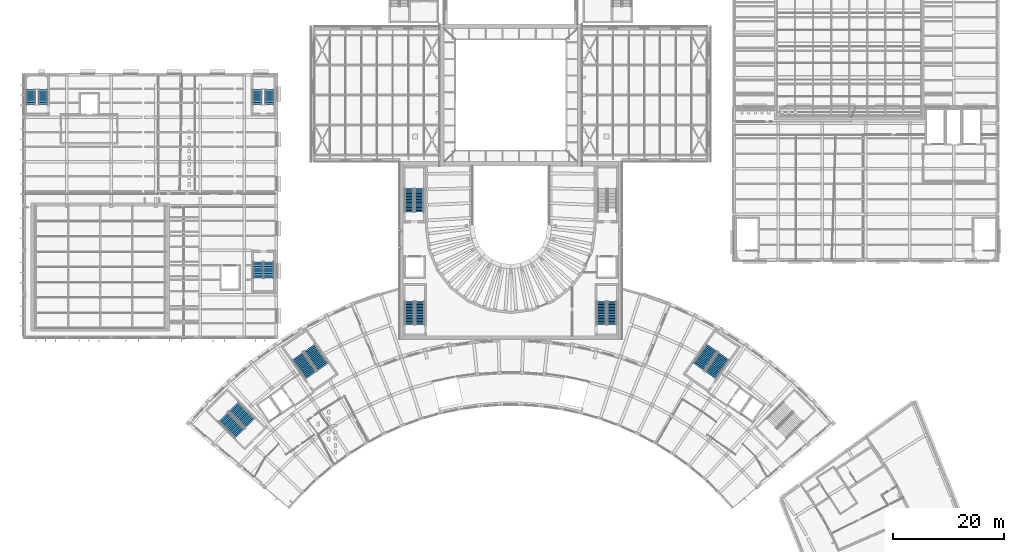
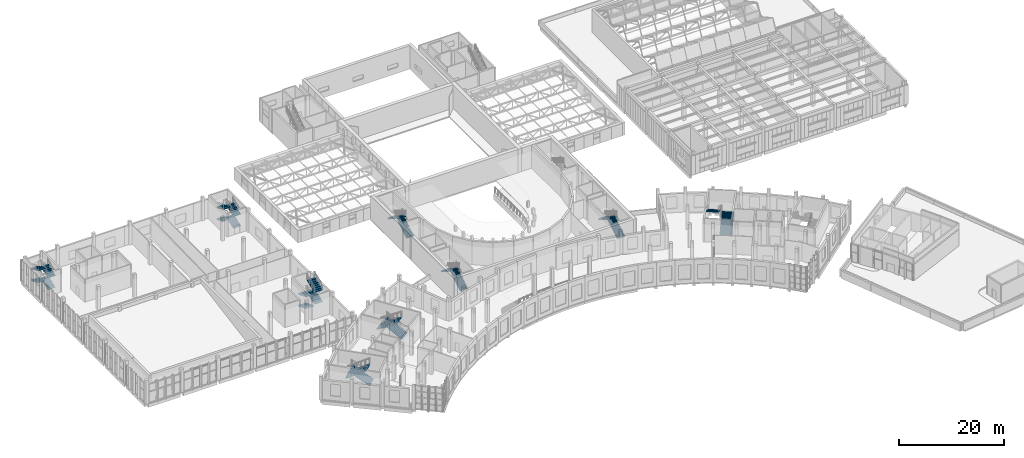
# One storey, part 83 of 132: 24 stair flights, 9 elements without a shape of their own.
"""IFC4 building model written with IfcOpenShell, lengths in metres."""

from ifc_helpers import new_model, si_unit, direction, frame, origin, place, context, subcontext, project, spatial, polyline, outline, extrude, material, type_object, element, aggregate, save


model = new_model("IFC4")

# Units and contexts
model_context = context("Model", 3, precision=1e-05, world=origin(), true_north=direction((0.0, 1.0)))
body_context = subcontext(model_context, "Body", "Model", "MODEL_VIEW")
ifc_project = project(units=[si_unit("LENGTHUNIT", "METRE"), si_unit("AREAUNIT", "SQUARE_METRE"), si_unit("VOLUMEUNIT", "CUBIC_METRE"), si_unit("PLANEANGLEUNIT", "RADIAN"), si_unit("MASSUNIT", "GRAM", prefix="KILO")], contexts=[model_context])

# Site, building, storey
site_placement = place(None, origin())
site = spatial("IfcSite", under=ifc_project, at=site_placement, CompositionType="ELEMENT")
building_placement = place(site_placement, origin())
building = spatial("IfcBuilding", under=site, at=building_placement, Name="Lunette Opera House", CompositionType="ELEMENT")
storey_placement = place(building_placement, frame((0.0, 0.0, 17.0)))
storey = spatial("IfcBuildingStorey", under=building, at=storey_placement, Name="L03", CompositionType="ELEMENT", Elevation=17.0)

# Stair, stair flights
ifc_material_1 = material(Name="Concrete C35/45", Category="concrete")
stair_type_1 = type_object("IfcStairType", Name="DOGLEG STAIR 1600", PredefinedType="HALF_TURN_STAIR", material=ifc_material_1)
stair_1_placement = place(storey_placement, origin())
stair_1 = element("IfcStair", 1, at=stair_1_placement, inside=storey, type_object=stair_type_1, Name="L03 stair ST15", PredefinedType="HALF_TURN_STAIR")
ifc_material_2 = material(Name="Concrete C35/45", Category="concrete")
stair_flight_type_1 = type_object("IfcStairFlightType", Name="STRAIGHT STAIR FLIGHT 1600", PredefinedType="STRAIGHT", material=ifc_material_2)
stair_flight_1_placement = place(storey_placement, frame((11.699951171875, 106.300048828125, 0.0), z_axis=(0.0, 0.0, 1.0), x_axis=(0.0, 1.0, 0.0)))
stair_flight_1 = element("IfcStairFlight", 2, at=stair_flight_1_placement, type_object=stair_flight_type_1, Name="ST15 flight 1", NumberOfRisers=8, NumberOfTreads=7, PredefinedType="STRAIGHT", RiserHeight=0.171875, TreadLength=0.38, context=body_context, shape_type="SweptSolid", body=[
    extrude(outline(polyline([(0.0, 0.0), (0.0, 0.171875), (0.3798828125, 0.171875), (0.3798828125, 0.34375), (0.760009765625, 0.34375), (0.760009765625, 0.515625), (1.139892578125, 0.515625), (1.139892578125, 0.6875), (1.52001953125, 0.6875), (1.52001953125, 0.859375), (1.89990234375, 0.859375), (1.89990234375, 1.03125), (2.280029296875, 1.03125), (2.280029296875, 1.203125), (2.659912109375, 1.203125), (2.659912109375, 1.375), (2.659912109375, 1.03857421875), (0.36376953125, 0.0), (0.0, 0.0)])), frame((0.0, 0.800048828125, 0.0), z_axis=(0.0, -1.0, 0.0), x_axis=(1.0, 0.0, 0.0)), (0.0, 0.0, 1.0), 1.60009765625),
])
stair_flight_2_placement = place(storey_placement, frame((9.5, 108.9599609375, 1.375), z_axis=(0.0, 0.0, 1.0), x_axis=(0.0, -1.0, 0.0)))
stair_flight_2 = element("IfcStairFlight", 3, at=stair_flight_2_placement, type_object=stair_flight_type_1, Name="ST15 flight 2", NumberOfRisers=8, NumberOfTreads=7, PredefinedType="STRAIGHT", RiserHeight=0.171875, TreadLength=0.38, context=body_context, shape_type="SweptSolid", body=[
    extrude(outline(polyline([(0.0, 0.0), (0.0, 0.171875), (0.3798828125, 0.171875), (0.3798828125, 0.34375), (0.760009765625, 0.34375), (0.760009765625, 0.515625), (1.139892578125, 0.515625), (1.139892578125, 0.6875), (1.52001953125, 0.6875), (1.52001953125, 0.859375), (1.89990234375, 0.859375), (1.89990234375, 1.03125), (2.280029296875, 1.03125), (2.280029296875, 1.203125), (2.659912109375, 1.203125), (2.659912109375, 1.375), (2.659912109375, 1.03857421875), (0.36376953125, 0.0), (0.0, 0.0)])), frame((0.0, 0.800048828125, 0.0), z_axis=(0.0, -1.0, 0.0), x_axis=(1.0, 0.0, 0.0)), (0.0, 0.0, 1.0), 1.60009765625),
])
stair_flight_3_placement = place(storey_placement, frame((11.699951171875, 106.300048828125, 2.75), z_axis=(0.0, 0.0, 1.0), x_axis=(0.0, 1.0, 0.0)))
stair_flight_3 = element("IfcStairFlight", 4, at=stair_flight_3_placement, type_object=stair_flight_type_1, Name="ST15 flight 3", NumberOfRisers=8, NumberOfTreads=7, PredefinedType="STRAIGHT", RiserHeight=0.171875, TreadLength=0.38, context=body_context, shape_type="SweptSolid", body=[
    extrude(outline(polyline([(0.0, 0.0), (0.0, 0.171875), (0.3798828125, 0.171875), (0.3798828125, 0.34375), (0.760009765625, 0.34375), (0.760009765625, 0.515625), (1.139892578125, 0.515625), (1.139892578125, 0.6875), (1.52001953125, 0.6875), (1.52001953125, 0.859375), (1.89990234375, 0.859375), (1.89990234375, 1.03125), (2.280029296875, 1.03125), (2.280029296875, 1.203125), (2.659912109375, 1.203125), (2.659912109375, 1.375), (2.659912109375, 1.03857421875), (0.36376953125, 0.0), (0.0, 0.0)])), frame((0.0, 0.800048828125, 0.0), z_axis=(0.0, -1.0, 0.0), x_axis=(1.0, 0.0, 0.0)), (0.0, 0.0, 1.0), 1.60009765625),
])
stair_flight_4_placement = place(storey_placement, frame((9.5, 108.9599609375, 4.125), z_axis=(0.0, 0.0, 1.0), x_axis=(0.0, -1.0, 0.0)))
stair_flight_4 = element("IfcStairFlight", 5, at=stair_flight_4_placement, type_object=stair_flight_type_1, Name="ST15 flight 4", NumberOfRisers=8, NumberOfTreads=7, PredefinedType="STRAIGHT", RiserHeight=0.171875, TreadLength=0.38, context=body_context, shape_type="SweptSolid", body=[
    extrude(outline(polyline([(0.0, 0.0), (0.0, 0.171875), (0.3798828125, 0.171875), (0.3798828125, 0.34375), (0.760009765625, 0.34375), (0.760009765625, 0.515625), (1.139892578125, 0.515625), (1.139892578125, 0.6875), (1.52001953125, 0.6875), (1.52001953125, 0.859375), (1.89990234375, 0.859375), (1.89990234375, 1.03125), (2.280029296875, 1.03125), (2.280029296875, 1.203125), (2.659912109375, 1.203125), (2.659912109375, 1.375), (2.659912109375, 1.03857421875), (0.36376953125, 0.0), (0.0, 0.0)])), frame((0.0, 0.800048828125, 0.0), z_axis=(0.0, -1.0, 0.0), x_axis=(1.0, 0.0, 0.0)), (0.0, 0.0, 1.0), 1.60009765625),
])
aggregate(stair_1, [stair_flight_1, stair_flight_2, stair_flight_3, stair_flight_4])

stair_2_placement = place(storey_placement, origin())
stair_2 = element("IfcStair", 6, at=stair_2_placement, inside=storey, type_object=stair_type_1, Name="L03 stair ST17", PredefinedType="HALF_TURN_STAIR")
stair_flight_5_placement = place(storey_placement, frame((52.534912109375, 106.300048828125, 0.0), z_axis=(0.0, 0.0, 1.0), x_axis=(0.0, 1.0, 0.0)))
stair_flight_5 = element("IfcStairFlight", 7, at=stair_flight_5_placement, type_object=stair_flight_type_1, Name="ST17 flight 1", NumberOfRisers=8, NumberOfTreads=7, PredefinedType="STRAIGHT", RiserHeight=0.171875, TreadLength=0.38, context=body_context, shape_type="SweptSolid", body=[
    extrude(outline(polyline([(0.0, 0.0), (0.0, 0.171875), (0.3798828125, 0.171875), (0.3798828125, 0.34375), (0.760009765625, 0.34375), (0.760009765625, 0.515625), (1.139892578125, 0.515625), (1.139892578125, 0.6875), (1.52001953125, 0.6875), (1.52001953125, 0.859375), (1.89990234375, 0.859375), (1.89990234375, 1.03125), (2.280029296875, 1.03125), (2.280029296875, 1.203125), (2.659912109375, 1.203125), (2.659912109375, 1.375), (2.659912109375, 1.03857421875), (0.36376953125, 0.0), (0.0, 0.0)])), frame((0.0, 0.800048828125, 0.0), z_axis=(0.0, -1.0, 0.0), x_axis=(1.0, 0.0, 0.0)), (0.0, 0.0, 1.0), 1.60009765625),
])
stair_flight_6_placement = place(storey_placement, frame((50.300048828125, 108.9599609375, 1.375), z_axis=(0.0, 0.0, 1.0), x_axis=(0.0, -1.0, 0.0)))
stair_flight_6 = element("IfcStairFlight", 8, at=stair_flight_6_placement, type_object=stair_flight_type_1, Name="ST17 flight 2", NumberOfRisers=8, NumberOfTreads=7, PredefinedType="STRAIGHT", RiserHeight=0.171875, TreadLength=0.38, context=body_context, shape_type="SweptSolid", body=[
    extrude(outline(polyline([(0.0, 0.0), (0.0, 0.171875), (0.3798828125, 0.171875), (0.3798828125, 0.34375), (0.760009765625, 0.34375), (0.760009765625, 0.515625), (1.139892578125, 0.515625), (1.139892578125, 0.6875), (1.52001953125, 0.6875), (1.52001953125, 0.859375), (1.89990234375, 0.859375), (1.89990234375, 1.03125), (2.280029296875, 1.03125), (2.280029296875, 1.203125), (2.659912109375, 1.203125), (2.659912109375, 1.375), (2.659912109375, 1.03857421875), (0.36376953125, 0.0), (0.0, 0.0)])), frame((0.0, 0.800048828125, 0.0), z_axis=(0.0, -1.0, 0.0), x_axis=(1.0, 0.0, 0.0)), (0.0, 0.0, 1.0), 1.60009765625),
])
stair_flight_7_placement = place(storey_placement, frame((52.534912109375, 106.300048828125, 2.75), z_axis=(0.0, 0.0, 1.0), x_axis=(0.0, 1.0, 0.0)))
stair_flight_7 = element("IfcStairFlight", 9, at=stair_flight_7_placement, type_object=stair_flight_type_1, Name="ST17 flight 3", NumberOfRisers=8, NumberOfTreads=7, PredefinedType="STRAIGHT", RiserHeight=0.171875, TreadLength=0.38, context=body_context, shape_type="SweptSolid", body=[
    extrude(outline(polyline([(0.0, 0.0), (0.0, 0.171875), (0.3798828125, 0.171875), (0.3798828125, 0.34375), (0.760009765625, 0.34375), (0.760009765625, 0.515625), (1.139892578125, 0.515625), (1.139892578125, 0.6875), (1.52001953125, 0.6875), (1.52001953125, 0.859375), (1.89990234375, 0.859375), (1.89990234375, 1.03125), (2.280029296875, 1.03125), (2.280029296875, 1.203125), (2.659912109375, 1.203125), (2.659912109375, 1.375), (2.659912109375, 1.03857421875), (0.36376953125, 0.0), (0.0, 0.0)])), frame((0.0, 0.800048828125, 0.0), z_axis=(0.0, -1.0, 0.0), x_axis=(1.0, 0.0, 0.0)), (0.0, 0.0, 1.0), 1.60009765625),
])
stair_flight_8_placement = place(storey_placement, frame((50.300048828125, 108.9599609375, 4.125), z_axis=(0.0, 0.0, 1.0), x_axis=(0.0, -1.0, 0.0)))
stair_flight_8 = element("IfcStairFlight", 10, at=stair_flight_8_placement, type_object=stair_flight_type_1, Name="ST17 flight 4", NumberOfRisers=8, NumberOfTreads=7, PredefinedType="STRAIGHT", RiserHeight=0.171875, TreadLength=0.38, context=body_context, shape_type="SweptSolid", body=[
    extrude(outline(polyline([(0.0, 0.0), (0.0, 0.171875), (0.3798828125, 0.171875), (0.3798828125, 0.34375), (0.760009765625, 0.34375), (0.760009765625, 0.515625), (1.139892578125, 0.515625), (1.139892578125, 0.6875), (1.52001953125, 0.6875), (1.52001953125, 0.859375), (1.89990234375, 0.859375), (1.89990234375, 1.03125), (2.280029296875, 1.03125), (2.280029296875, 1.203125), (2.659912109375, 1.203125), (2.659912109375, 1.375), (2.659912109375, 1.03857421875), (0.36376953125, 0.0), (0.0, 0.0)])), frame((0.0, 0.800048828125, 0.0), z_axis=(0.0, -1.0, 0.0), x_axis=(1.0, 0.0, 0.0)), (0.0, 0.0, 1.0), 1.60009765625),
])
aggregate(stair_2, [stair_flight_5, stair_flight_6, stair_flight_7, stair_flight_8])

ifc_material_3 = material(Name="Concrete C35/45", Category="concrete")
stair_type_2 = type_object("IfcStairType", Name="DOGLEG STAIR 1620", PredefinedType="HALF_TURN_STAIR", material=ifc_material_3)
stair_3_placement = place(storey_placement, origin())
stair_3 = element("IfcStair", 11, at=stair_3_placement, inside=storey, type_object=stair_type_2, Name="L03 stair ST10", PredefinedType="HALF_TURN_STAIR")
ifc_material_4 = material(Name="Concrete C35/45", Category="concrete")
stair_flight_type_2 = type_object("IfcStairFlightType", Name="STRAIGHT STAIR FLIGHT 1620", PredefinedType="STRAIGHT", material=ifc_material_4)
stair_flight_9_placement = place(storey_placement, frame((79.489990234375, 86.919921875, 0.0), z_axis=(0.0, 0.0, 1.0), x_axis=(0.0, 1.0, 0.0)))
stair_flight_9 = element("IfcStairFlight", 12, at=stair_flight_9_placement, type_object=stair_flight_type_2, Name="ST10 flight 1", NumberOfRisers=16, NumberOfTreads=15, PredefinedType="STRAIGHT", RiserHeight=0.171875, TreadLength=0.28, context=body_context, shape_type="SweptSolid", body=[
    extrude(outline(polyline([(0.0, 0.0), (0.0, 0.171875), (0.280029296875, 0.171875), (0.280029296875, 0.34375), (0.56005859375, 0.34375), (0.56005859375, 0.515625), (0.840087890625, 0.515625), (0.840087890625, 0.6875), (1.1201171875, 0.6875), (1.1201171875, 0.859375), (1.39990234375, 0.859375), (1.39990234375, 1.03125), (1.679931640625, 1.03125), (1.679931640625, 1.203125), (1.9599609375, 1.203125), (1.9599609375, 1.375), (2.239990234375, 1.375), (2.239990234375, 1.546875), (2.52001953125, 1.546875), (2.52001953125, 1.71875), (2.800048828125, 1.71875), (2.800048828125, 1.890625), (3.080078125, 1.890625), (3.080078125, 2.0625), (3.360107421875, 2.0625), (3.360107421875, 2.234375), (3.639892578125, 2.234375), (3.639892578125, 2.40625), (3.919921875, 2.40625), (3.919921875, 2.578125), (4.199951171875, 2.578125), (4.199951171875, 2.75), (4.199951171875, 2.40234375), (0.28662109375, 0.0), (0.0, 0.0)])), frame((0.0, 0.81005859375, 0.0), z_axis=(0.0, -1.0, 0.0), x_axis=(1.0, 0.0, 0.0)), (0.0, 0.0, 1.0), 1.6201171875),
])
stair_flight_10_placement = place(storey_placement, frame((77.7099609375, 91.1201171875, 2.75), z_axis=(0.0, 0.0, 1.0), x_axis=(0.0, -1.0, 0.0)))
stair_flight_10 = element("IfcStairFlight", 13, at=stair_flight_10_placement, type_object=stair_flight_type_2, Name="ST10 flight 2", NumberOfRisers=16, NumberOfTreads=15, PredefinedType="STRAIGHT", RiserHeight=0.171875, TreadLength=0.28, context=body_context, shape_type="SweptSolid", body=[
    extrude(outline(polyline([(0.0, 0.0), (0.0, 0.171875), (0.280029296875, 0.171875), (0.280029296875, 0.34375), (0.56005859375, 0.34375), (0.56005859375, 0.515625), (0.840087890625, 0.515625), (0.840087890625, 0.6875), (1.1201171875, 0.6875), (1.1201171875, 0.859375), (1.39990234375, 0.859375), (1.39990234375, 1.03125), (1.679931640625, 1.03125), (1.679931640625, 1.203125), (1.9599609375, 1.203125), (1.9599609375, 1.375), (2.239990234375, 1.375), (2.239990234375, 1.546875), (2.52001953125, 1.546875), (2.52001953125, 1.71875), (2.800048828125, 1.71875), (2.800048828125, 1.890625), (3.080078125, 1.890625), (3.080078125, 2.0625), (3.360107421875, 2.0625), (3.360107421875, 2.234375), (3.639892578125, 2.234375), (3.639892578125, 2.40625), (3.919921875, 2.40625), (3.919921875, 2.578125), (4.199951171875, 2.578125), (4.199951171875, 2.75), (4.199951171875, 2.40234375), (0.28662109375, 0.0), (0.0, 0.0)])), frame((0.0, 0.81005859375, 0.0), z_axis=(0.0, -1.0, 0.0), x_axis=(1.0, 0.0, 0.0)), (0.0, 0.0, 1.0), 1.6201171875),
])
aggregate(stair_3, [stair_flight_9, stair_flight_10])

ifc_material_5 = material(Name="Concrete C35/45", Category="concrete")
stair_type_3 = type_object("IfcStairType", Name="DOGLEG STAIR 1720", PredefinedType="HALF_TURN_STAIR", material=ifc_material_5)
stair_4_placement = place(storey_placement, origin())
stair_4 = element("IfcStair", 14, at=stair_4_placement, inside=storey, type_object=stair_type_3, Name="L03 stair ST7", PredefinedType="HALF_TURN_STAIR")
ifc_material_6 = material(Name="Concrete C35/45", Category="concrete")
stair_flight_type_3 = type_object("IfcStairFlightType", Name="STRAIGHT STAIR FLIGHT 1720", PredefinedType="STRAIGHT", material=ifc_material_6)
stair_flight_11_placement = place(storey_placement, frame((79.639892578125, 66.6201171875, 0.0), z_axis=(0.0, 0.0, 1.0), x_axis=(0.0, 1.0, 0.0)))
stair_flight_11 = element("IfcStairFlight", 15, at=stair_flight_11_placement, type_object=stair_flight_type_3, Name="ST7 flight 1", NumberOfRisers=16, NumberOfTreads=15, PredefinedType="STRAIGHT", RiserHeight=0.171875, TreadLength=0.28, context=body_context, shape_type="SweptSolid", body=[
    extrude(outline(polyline([(0.0, 0.0), (0.0, 0.171875), (0.280029296875, 0.171875), (0.280029296875, 0.34375), (0.56005859375, 0.34375), (0.56005859375, 0.515625), (0.840087890625, 0.515625), (0.840087890625, 0.6875), (1.1201171875, 0.6875), (1.1201171875, 0.859375), (1.39990234375, 0.859375), (1.39990234375, 1.03125), (1.679931640625, 1.03125), (1.679931640625, 1.203125), (1.9599609375, 1.203125), (1.9599609375, 1.375), (2.239990234375, 1.375), (2.239990234375, 1.546875), (2.52001953125, 1.546875), (2.52001953125, 1.71875), (2.800048828125, 1.71875), (2.800048828125, 1.890625), (3.080078125, 1.890625), (3.080078125, 2.0625), (3.360107421875, 2.0625), (3.360107421875, 2.234375), (3.639892578125, 2.234375), (3.639892578125, 2.40625), (3.919921875, 2.40625), (3.919921875, 2.578125), (4.199951171875, 2.578125), (4.199951171875, 2.75), (4.199951171875, 2.40234375), (0.28662109375, 0.0), (0.0, 0.0)])), frame((0.0, 0.85986328125, 0.0), z_axis=(0.0, -1.0, 0.0), x_axis=(1.0, 0.0, 0.0)), (0.0, 0.0, 1.0), 1.719970703125),
])
stair_flight_12_placement = place(storey_placement, frame((77.760009765625, 70.820068359375, 2.75), z_axis=(0.0, 0.0, 1.0), x_axis=(0.0, -1.0, 0.0)))
stair_flight_12 = element("IfcStairFlight", 16, at=stair_flight_12_placement, type_object=stair_flight_type_3, Name="ST7 flight 2", NumberOfRisers=16, NumberOfTreads=15, PredefinedType="STRAIGHT", RiserHeight=0.171875, TreadLength=0.28, context=body_context, shape_type="SweptSolid", body=[
    extrude(outline(polyline([(0.0, 0.0), (0.0, 0.171875), (0.280029296875, 0.171875), (0.280029296875, 0.34375), (0.56005859375, 0.34375), (0.56005859375, 0.515625), (0.840087890625, 0.515625), (0.840087890625, 0.6875), (1.1201171875, 0.6875), (1.1201171875, 0.859375), (1.39990234375, 0.859375), (1.39990234375, 1.03125), (1.679931640625, 1.03125), (1.679931640625, 1.203125), (1.9599609375, 1.203125), (1.9599609375, 1.375), (2.239990234375, 1.375), (2.239990234375, 1.546875), (2.52001953125, 1.546875), (2.52001953125, 1.71875), (2.800048828125, 1.71875), (2.800048828125, 1.890625), (3.080078125, 1.890625), (3.080078125, 2.0625), (3.360107421875, 2.0625), (3.360107421875, 2.234375), (3.639892578125, 2.234375), (3.639892578125, 2.40625), (3.919921875, 2.40625), (3.919921875, 2.578125), (4.199951171875, 2.578125), (4.199951171875, 2.75), (4.199951171875, 2.40234375), (0.28662109375, 0.0), (0.0, 0.0)])), frame((0.0, 0.85986328125, 0.0), z_axis=(0.0, -1.0, 0.0), x_axis=(1.0, 0.0, 0.0)), (0.0, 0.0, 1.0), 1.719970703125),
])
aggregate(stair_4, [stair_flight_11, stair_flight_12])

stair_5_placement = place(storey_placement, origin())
stair_5 = element("IfcStair", 17, at=stair_5_placement, inside=storey, type_object=stair_type_3, Name="L03 stair ST8", PredefinedType="HALF_TURN_STAIR")
stair_flight_13_placement = place(storey_placement, frame((114.239990234375, 66.6201171875, 0.0), z_axis=(0.0, 0.0, 1.0), x_axis=(0.0, 1.0, 0.0)))
stair_flight_13 = element("IfcStairFlight", 18, at=stair_flight_13_placement, type_object=stair_flight_type_3, Name="ST8 flight 1", NumberOfRisers=16, NumberOfTreads=15, PredefinedType="STRAIGHT", RiserHeight=0.171875, TreadLength=0.28, context=body_context, shape_type="SweptSolid", body=[
    extrude(outline(polyline([(0.0, 0.0), (0.0, 0.171875), (0.280029296875, 0.171875), (0.280029296875, 0.34375), (0.56005859375, 0.34375), (0.56005859375, 0.515625), (0.840087890625, 0.515625), (0.840087890625, 0.6875), (1.1201171875, 0.6875), (1.1201171875, 0.859375), (1.39990234375, 0.859375), (1.39990234375, 1.03125), (1.679931640625, 1.03125), (1.679931640625, 1.203125), (1.9599609375, 1.203125), (1.9599609375, 1.375), (2.239990234375, 1.375), (2.239990234375, 1.546875), (2.52001953125, 1.546875), (2.52001953125, 1.71875), (2.800048828125, 1.71875), (2.800048828125, 1.890625), (3.080078125, 1.890625), (3.080078125, 2.0625), (3.360107421875, 2.0625), (3.360107421875, 2.234375), (3.639892578125, 2.234375), (3.639892578125, 2.40625), (3.919921875, 2.40625), (3.919921875, 2.578125), (4.199951171875, 2.578125), (4.199951171875, 2.75), (4.199951171875, 2.40234375), (0.28662109375, 0.0), (0.0, 0.0)])), frame((0.0, 0.85986328125, 0.0), z_axis=(0.0, -1.0, 0.0), x_axis=(1.0, 0.0, 0.0)), (0.0, 0.0, 1.0), 1.719970703125),
])
stair_flight_14_placement = place(storey_placement, frame((112.360107421875, 70.820068359375, 2.75), z_axis=(0.0, 0.0, 1.0), x_axis=(0.0, -1.0, 0.0)))
stair_flight_14 = element("IfcStairFlight", 19, at=stair_flight_14_placement, type_object=stair_flight_type_3, Name="ST8 flight 2", NumberOfRisers=16, NumberOfTreads=15, PredefinedType="STRAIGHT", RiserHeight=0.171875, TreadLength=0.28, context=body_context, shape_type="SweptSolid", body=[
    extrude(outline(polyline([(0.0, 0.0), (0.0, 0.171875), (0.280029296875, 0.171875), (0.280029296875, 0.34375), (0.56005859375, 0.34375), (0.56005859375, 0.515625), (0.840087890625, 0.515625), (0.840087890625, 0.6875), (1.1201171875, 0.6875), (1.1201171875, 0.859375), (1.39990234375, 0.859375), (1.39990234375, 1.03125), (1.679931640625, 1.03125), (1.679931640625, 1.203125), (1.9599609375, 1.203125), (1.9599609375, 1.375), (2.239990234375, 1.375), (2.239990234375, 1.546875), (2.52001953125, 1.546875), (2.52001953125, 1.71875), (2.800048828125, 1.71875), (2.800048828125, 1.890625), (3.080078125, 1.890625), (3.080078125, 2.0625), (3.360107421875, 2.0625), (3.360107421875, 2.234375), (3.639892578125, 2.234375), (3.639892578125, 2.40625), (3.919921875, 2.40625), (3.919921875, 2.578125), (4.199951171875, 2.578125), (4.199951171875, 2.75), (4.199951171875, 2.40234375), (0.28662109375, 0.0), (0.0, 0.0)])), frame((0.0, 0.85986328125, 0.0), z_axis=(0.0, -1.0, 0.0), x_axis=(1.0, 0.0, 0.0)), (0.0, 0.0, 1.0), 1.719970703125),
])
aggregate(stair_5, [stair_flight_13, stair_flight_14])

ifc_material_7 = material(Name="Concrete C35/45", Category="concrete")
stair_type_4 = type_object("IfcStairType", Name="DOGLEG STAIR 1770", PredefinedType="HALF_TURN_STAIR", material=ifc_material_7)
stair_6_placement = place(storey_placement, origin())
stair_6 = element("IfcStair", 20, at=stair_6_placement, inside=storey, type_object=stair_type_4, Name="L03 stair ST16", PredefinedType="HALF_TURN_STAIR")
ifc_material_8 = material(Name="Concrete C35/45", Category="concrete")
stair_flight_type_4 = type_object("IfcStairFlightType", Name="STRAIGHT STAIR FLIGHT 1770", PredefinedType="STRAIGHT", material=ifc_material_8)
stair_flight_15_placement = place(storey_placement, frame((50.485107421875, 77.929931640625, 0.0), z_axis=(0.0, 0.0, 1.0), x_axis=(0.0, -1.0, 0.0)))
stair_flight_15 = element("IfcStairFlight", 21, at=stair_flight_15_placement, type_object=stair_flight_type_4, Name="ST16 flight 1", NumberOfRisers=8, NumberOfTreads=7, PredefinedType="STRAIGHT", RiserHeight=0.171875, TreadLength=0.42, context=body_context, shape_type="SweptSolid", body=[
    extrude(outline(polyline([(0.0, 0.0), (0.0, 0.171875), (0.419921875, 0.171875), (0.419921875, 0.34375), (0.840087890625, 0.34375), (0.840087890625, 0.515625), (1.260009765625, 0.515625), (1.260009765625, 0.6875), (1.679931640625, 0.6875), (1.679931640625, 0.859375), (2.10009765625, 0.859375), (2.10009765625, 1.03125), (2.52001953125, 1.03125), (2.52001953125, 1.203125), (2.93994140625, 1.203125), (2.93994140625, 1.375), (2.93994140625, 1.041259765625), (0.395751953125, 0.0), (0.0, 0.0)])), frame((0.0, 0.885009765625, 0.0), z_axis=(0.0, -1.0, 0.0), x_axis=(1.0, 0.0, 0.0)), (0.0, 0.0, 1.0), 1.77001953125),
])
stair_flight_16_placement = place(storey_placement, frame((52.4150390625, 74.989990234375, 1.375), z_axis=(0.0, 0.0, 1.0), x_axis=(0.0, 1.0, 0.0)))
stair_flight_16 = element("IfcStairFlight", 22, at=stair_flight_16_placement, type_object=stair_flight_type_4, Name="ST16 flight 2", NumberOfRisers=8, NumberOfTreads=7, PredefinedType="STRAIGHT", RiserHeight=0.171875, TreadLength=0.42, context=body_context, shape_type="SweptSolid", body=[
    extrude(outline(polyline([(0.0, 0.0), (0.0, 0.171875), (0.419921875, 0.171875), (0.419921875, 0.34375), (0.840087890625, 0.34375), (0.840087890625, 0.515625), (1.260009765625, 0.515625), (1.260009765625, 0.6875), (1.679931640625, 0.6875), (1.679931640625, 0.859375), (2.10009765625, 0.859375), (2.10009765625, 1.03125), (2.52001953125, 1.03125), (2.52001953125, 1.203125), (2.93994140625, 1.203125), (2.93994140625, 1.375), (2.93994140625, 1.041259765625), (0.395751953125, 0.0), (0.0, 0.0)])), frame((0.0, 0.885009765625, 0.0), z_axis=(0.0, -1.0, 0.0), x_axis=(1.0, 0.0, 0.0)), (0.0, 0.0, 1.0), 1.77001953125),
])
stair_flight_17_placement = place(storey_placement, frame((50.485107421875, 77.929931640625, 2.75), z_axis=(0.0, 0.0, 1.0), x_axis=(0.0, -1.0, 0.0)))
stair_flight_17 = element("IfcStairFlight", 23, at=stair_flight_17_placement, type_object=stair_flight_type_4, Name="ST16 flight 3", NumberOfRisers=8, NumberOfTreads=7, PredefinedType="STRAIGHT", RiserHeight=0.171875, TreadLength=0.42, context=body_context, shape_type="SweptSolid", body=[
    extrude(outline(polyline([(0.0, 0.0), (0.0, 0.171875), (0.419921875, 0.171875), (0.419921875, 0.34375), (0.840087890625, 0.34375), (0.840087890625, 0.515625), (1.260009765625, 0.515625), (1.260009765625, 0.6875), (1.679931640625, 0.6875), (1.679931640625, 0.859375), (2.10009765625, 0.859375), (2.10009765625, 1.03125), (2.52001953125, 1.03125), (2.52001953125, 1.203125), (2.93994140625, 1.203125), (2.93994140625, 1.375), (2.93994140625, 1.041259765625), (0.395751953125, 0.0), (0.0, 0.0)])), frame((0.0, 0.885009765625, 0.0), z_axis=(0.0, -1.0, 0.0), x_axis=(1.0, 0.0, 0.0)), (0.0, 0.0, 1.0), 1.77001953125),
])
stair_flight_18_placement = place(storey_placement, frame((52.4150390625, 74.989990234375, 4.125), z_axis=(0.0, 0.0, 1.0), x_axis=(0.0, 1.0, 0.0)))
stair_flight_18 = element("IfcStairFlight", 24, at=stair_flight_18_placement, type_object=stair_flight_type_4, Name="ST16 flight 4", NumberOfRisers=8, NumberOfTreads=7, PredefinedType="STRAIGHT", RiserHeight=0.171875, TreadLength=0.42, context=body_context, shape_type="SweptSolid", body=[
    extrude(outline(polyline([(0.0, 0.0), (0.0, 0.171875), (0.419921875, 0.171875), (0.419921875, 0.34375), (0.840087890625, 0.34375), (0.840087890625, 0.515625), (1.260009765625, 0.515625), (1.260009765625, 0.6875), (1.679931640625, 0.6875), (1.679931640625, 0.859375), (2.10009765625, 0.859375), (2.10009765625, 1.03125), (2.52001953125, 1.03125), (2.52001953125, 1.203125), (2.93994140625, 1.203125), (2.93994140625, 1.375), (2.93994140625, 1.041259765625), (0.395751953125, 0.0), (0.0, 0.0)])), frame((0.0, 0.885009765625, 0.0), z_axis=(0.0, -1.0, 0.0), x_axis=(1.0, 0.0, 0.0)), (0.0, 0.0, 1.0), 1.77001953125),
])
aggregate(stair_6, [stair_flight_15, stair_flight_16, stair_flight_17, stair_flight_18])

ifc_material_9 = material(Name="Concrete C35/45", Category="concrete")
stair_type_5 = type_object("IfcStairType", Name="DOGLEG STAIR 2400", PredefinedType="HALF_TURN_STAIR", material=ifc_material_9)
stair_7_placement = place(storey_placement, origin())
stair_7 = element("IfcStair", 25, at=stair_7_placement, inside=storey, type_object=stair_type_5, Name="L03 stair ST1", PredefinedType="HALF_TURN_STAIR")
ifc_material_10 = material(Name="Concrete C35/45", Category="concrete")
stair_flight_type_5 = type_object("IfcStairFlightType", Name="STRAIGHT STAIR FLIGHT 2400", PredefinedType="STRAIGHT", material=ifc_material_10)
stair_flight_19_placement = place(storey_placement, frame((49.01318359375, 48.825439453125, 0.0), z_axis=(0.0, 0.0, 1.0), x_axis=(-0.707106781187, 0.707106781187, 0.0)))
stair_flight_19 = element("IfcStairFlight", 26, at=stair_flight_19_placement, type_object=stair_flight_type_5, Name="ST1 flight 1", NumberOfRisers=16, NumberOfTreads=15, PredefinedType="STRAIGHT", RiserHeight=0.171875, TreadLength=0.28, context=body_context, shape_type="SweptSolid", body=[
    extrude(outline(polyline([(0.0, 0.0), (0.0, 0.171875), (0.280029296875, 0.171875), (0.280029296875, 0.34375), (0.56005859375, 0.34375), (0.56005859375, 0.515625), (0.840087890625, 0.515625), (0.840087890625, 0.6875), (1.1201171875, 0.6875), (1.1201171875, 0.859375), (1.39990234375, 0.859375), (1.39990234375, 1.03125), (1.679931640625, 1.03125), (1.679931640625, 1.203125), (1.9599609375, 1.203125), (1.9599609375, 1.375), (2.239990234375, 1.375), (2.239990234375, 1.546875), (2.52001953125, 1.546875), (2.52001953125, 1.71875), (2.800048828125, 1.71875), (2.800048828125, 1.890625), (3.080078125, 1.890625), (3.080078125, 2.0625), (3.360107421875, 2.0625), (3.360107421875, 2.234375), (3.639892578125, 2.234375), (3.639892578125, 2.40625), (3.919921875, 2.40625), (3.919921875, 2.578125), (4.199951171875, 2.578125), (4.199951171875, 2.75), (4.199951171875, 2.40234375), (0.28662109375, 0.0), (0.0, 0.0)])), frame((0.0, 1.199951171875, 0.0), z_axis=(0.0, -1.0, 0.0), x_axis=(1.0, 0.0, 0.0)), (0.0, 0.0, 1.0), 2.39990234375),
])
stair_flight_20_placement = place(storey_placement, frame((44.20458984375, 49.956787109375, 2.75), z_axis=(0.0, 0.0, 1.0), x_axis=(0.707106781187, -0.707106781187, 0.0)))
stair_flight_20 = element("IfcStairFlight", 27, at=stair_flight_20_placement, type_object=stair_flight_type_5, Name="ST1 flight 2", NumberOfRisers=16, NumberOfTreads=15, PredefinedType="STRAIGHT", RiserHeight=0.171875, TreadLength=0.28, context=body_context, shape_type="SweptSolid", body=[
    extrude(outline(polyline([(0.0, 0.0), (0.0, 0.171875), (0.280029296875, 0.171875), (0.280029296875, 0.34375), (0.56005859375, 0.34375), (0.56005859375, 0.515625), (0.840087890625, 0.515625), (0.840087890625, 0.6875), (1.1201171875, 0.6875), (1.1201171875, 0.859375), (1.39990234375, 0.859375), (1.39990234375, 1.03125), (1.679931640625, 1.03125), (1.679931640625, 1.203125), (1.9599609375, 1.203125), (1.9599609375, 1.375), (2.239990234375, 1.375), (2.239990234375, 1.546875), (2.52001953125, 1.546875), (2.52001953125, 1.71875), (2.800048828125, 1.71875), (2.800048828125, 1.890625), (3.080078125, 1.890625), (3.080078125, 2.0625), (3.360107421875, 2.0625), (3.360107421875, 2.234375), (3.639892578125, 2.234375), (3.639892578125, 2.40625), (3.919921875, 2.40625), (3.919921875, 2.578125), (4.199951171875, 2.578125), (4.199951171875, 2.75), (4.199951171875, 2.40234375), (0.28662109375, 0.0), (0.0, 0.0)])), frame((0.0, 1.199951171875, 0.0), z_axis=(0.0, -1.0, 0.0), x_axis=(1.0, 0.0, 0.0)), (0.0, 0.0, 1.0), 2.39990234375),
])
aggregate(stair_7, [stair_flight_19, stair_flight_20])

stair_8_placement = place(storey_placement, origin())
stair_8 = element("IfcStair", 28, at=stair_8_placement, inside=storey, type_object=stair_type_5, Name="L03 stair ST2", PredefinedType="HALF_TURN_STAIR")
stair_flight_21_placement = place(storey_placement, frame((62.13720703125, 58.996337890625, 0.0), z_axis=(0.0, 0.0, 1.0), x_axis=(-0.573510282723, 0.819198361577, 0.0)))
stair_flight_21 = element("IfcStairFlight", 29, at=stair_flight_21_placement, type_object=stair_flight_type_5, Name="ST2 flight 1", NumberOfRisers=16, NumberOfTreads=15, PredefinedType="STRAIGHT", RiserHeight=0.171875, TreadLength=0.28, context=body_context, shape_type="SweptSolid", body=[
    extrude(outline(polyline([(0.0, 0.0), (0.0, 0.171875), (0.280029296875, 0.171875), (0.280029296875, 0.34375), (0.56005859375, 0.34375), (0.56005859375, 0.515625), (0.840087890625, 0.515625), (0.840087890625, 0.6875), (1.1201171875, 0.6875), (1.1201171875, 0.859375), (1.39990234375, 0.859375), (1.39990234375, 1.03125), (1.679931640625, 1.03125), (1.679931640625, 1.203125), (1.9599609375, 1.203125), (1.9599609375, 1.375), (2.239990234375, 1.375), (2.239990234375, 1.546875), (2.52001953125, 1.546875), (2.52001953125, 1.71875), (2.800048828125, 1.71875), (2.800048828125, 1.890625), (3.080078125, 1.890625), (3.080078125, 2.0625), (3.360107421875, 2.0625), (3.360107421875, 2.234375), (3.639892578125, 2.234375), (3.639892578125, 2.40625), (3.919921875, 2.40625), (3.919921875, 2.578125), (4.199951171875, 2.578125), (4.199951171875, 2.75), (4.199951171875, 2.40234375), (0.28662109375, 0.0), (0.0, 0.0)])), frame((0.0, 1.199951171875, 0.0), z_axis=(0.0, -1.0, 0.0), x_axis=(1.0, 0.0, 0.0)), (0.0, 0.0, 1.0), 2.39990234375),
])
stair_flight_22_placement = place(storey_placement, frame((57.597900390625, 60.945556640625, 2.75), z_axis=(0.0, 0.0, 1.0), x_axis=(0.573510282723, -0.819198361577, 0.0)))
stair_flight_22 = element("IfcStairFlight", 30, at=stair_flight_22_placement, type_object=stair_flight_type_5, Name="ST2 flight 2", NumberOfRisers=16, NumberOfTreads=15, PredefinedType="STRAIGHT", RiserHeight=0.171875, TreadLength=0.28, context=body_context, shape_type="SweptSolid", body=[
    extrude(outline(polyline([(0.0, 0.0), (0.0, 0.171875), (0.280029296875, 0.171875), (0.280029296875, 0.34375), (0.56005859375, 0.34375), (0.56005859375, 0.515625), (0.840087890625, 0.515625), (0.840087890625, 0.6875), (1.1201171875, 0.6875), (1.1201171875, 0.859375), (1.39990234375, 0.859375), (1.39990234375, 1.03125), (1.679931640625, 1.03125), (1.679931640625, 1.203125), (1.9599609375, 1.203125), (1.9599609375, 1.375), (2.239990234375, 1.375), (2.239990234375, 1.546875), (2.52001953125, 1.546875), (2.52001953125, 1.71875), (2.800048828125, 1.71875), (2.800048828125, 1.890625), (3.080078125, 1.890625), (3.080078125, 2.0625), (3.360107421875, 2.0625), (3.360107421875, 2.234375), (3.639892578125, 2.234375), (3.639892578125, 2.40625), (3.919921875, 2.40625), (3.919921875, 2.578125), (4.199951171875, 2.578125), (4.199951171875, 2.75), (4.199951171875, 2.40234375), (0.28662109375, 0.0), (0.0, 0.0)])), frame((0.0, 1.199951171875, 0.0), z_axis=(0.0, -1.0, 0.0), x_axis=(1.0, 0.0, 0.0)), (0.0, 0.0, 1.0), 2.39990234375),
])
aggregate(stair_8, [stair_flight_21, stair_flight_22])

stair_9_placement = place(storey_placement, origin())
stair_9 = element("IfcStair", 31, at=stair_9_placement, inside=storey, type_object=stair_type_5, Name="L03 stair ST3", PredefinedType="HALF_TURN_STAIR")
stair_flight_23_placement = place(storey_placement, frame((131.9931640625, 57.5048828125, 0.0), z_axis=(0.0, 0.0, 1.0), x_axis=(0.573569716789, 0.819156749336, 0.0)))
stair_flight_23 = element("IfcStairFlight", 32, at=stair_flight_23_placement, type_object=stair_flight_type_5, Name="ST3 flight 1", NumberOfRisers=16, NumberOfTreads=15, PredefinedType="STRAIGHT", RiserHeight=0.171875, TreadLength=0.28, context=body_context, shape_type="SweptSolid", body=[
    extrude(outline(polyline([(0.0, 0.0), (0.0, 0.171875), (0.280029296875, 0.171875), (0.280029296875, 0.34375), (0.56005859375, 0.34375), (0.56005859375, 0.515625), (0.840087890625, 0.515625), (0.840087890625, 0.6875), (1.1201171875, 0.6875), (1.1201171875, 0.859375), (1.39990234375, 0.859375), (1.39990234375, 1.03125), (1.679931640625, 1.03125), (1.679931640625, 1.203125), (1.9599609375, 1.203125), (1.9599609375, 1.375), (2.239990234375, 1.375), (2.239990234375, 1.546875), (2.52001953125, 1.546875), (2.52001953125, 1.71875), (2.800048828125, 1.71875), (2.800048828125, 1.890625), (3.080078125, 1.890625), (3.080078125, 2.0625), (3.360107421875, 2.0625), (3.360107421875, 2.234375), (3.639892578125, 2.234375), (3.639892578125, 2.40625), (3.919921875, 2.40625), (3.919921875, 2.578125), (4.199951171875, 2.578125), (4.199951171875, 2.75), (4.199951171875, 2.40234375), (0.28662109375, 0.0), (0.0, 0.0)])), frame((0.0, 1.199951171875, 0.0), z_axis=(0.0, -1.0, 0.0), x_axis=(1.0, 0.0, 0.0)), (0.0, 0.0, 1.0), 2.39990234375),
])
stair_flight_24_placement = place(storey_placement, frame((132.271728515625, 62.43701171875, 2.75), z_axis=(0.0, 0.0, 1.0), x_axis=(-0.573569716789, -0.819156749336, 0.0)))
stair_flight_24 = element("IfcStairFlight", 33, at=stair_flight_24_placement, type_object=stair_flight_type_5, Name="ST3 flight 2", NumberOfRisers=16, NumberOfTreads=15, PredefinedType="STRAIGHT", RiserHeight=0.171875, TreadLength=0.28, context=body_context, shape_type="SweptSolid", body=[
    extrude(outline(polyline([(0.0, 0.0), (0.0, 0.171875), (0.280029296875, 0.171875), (0.280029296875, 0.34375), (0.56005859375, 0.34375), (0.56005859375, 0.515625), (0.840087890625, 0.515625), (0.840087890625, 0.6875), (1.1201171875, 0.6875), (1.1201171875, 0.859375), (1.39990234375, 0.859375), (1.39990234375, 1.03125), (1.679931640625, 1.03125), (1.679931640625, 1.203125), (1.9599609375, 1.203125), (1.9599609375, 1.375), (2.239990234375, 1.375), (2.239990234375, 1.546875), (2.52001953125, 1.546875), (2.52001953125, 1.71875), (2.800048828125, 1.71875), (2.800048828125, 1.890625), (3.080078125, 1.890625), (3.080078125, 2.0625), (3.360107421875, 2.0625), (3.360107421875, 2.234375), (3.639892578125, 2.234375), (3.639892578125, 2.40625), (3.919921875, 2.40625), (3.919921875, 2.578125), (4.199951171875, 2.578125), (4.199951171875, 2.75), (4.199951171875, 2.40234375), (0.28662109375, 0.0), (0.0, 0.0)])), frame((0.0, 1.199951171875, 0.0), z_axis=(0.0, -1.0, 0.0), x_axis=(1.0, 0.0, 0.0)), (0.0, 0.0, 1.0), 2.39990234375),
])
aggregate(stair_9, [stair_flight_23, stair_flight_24])

save(model, "model.ifc")
